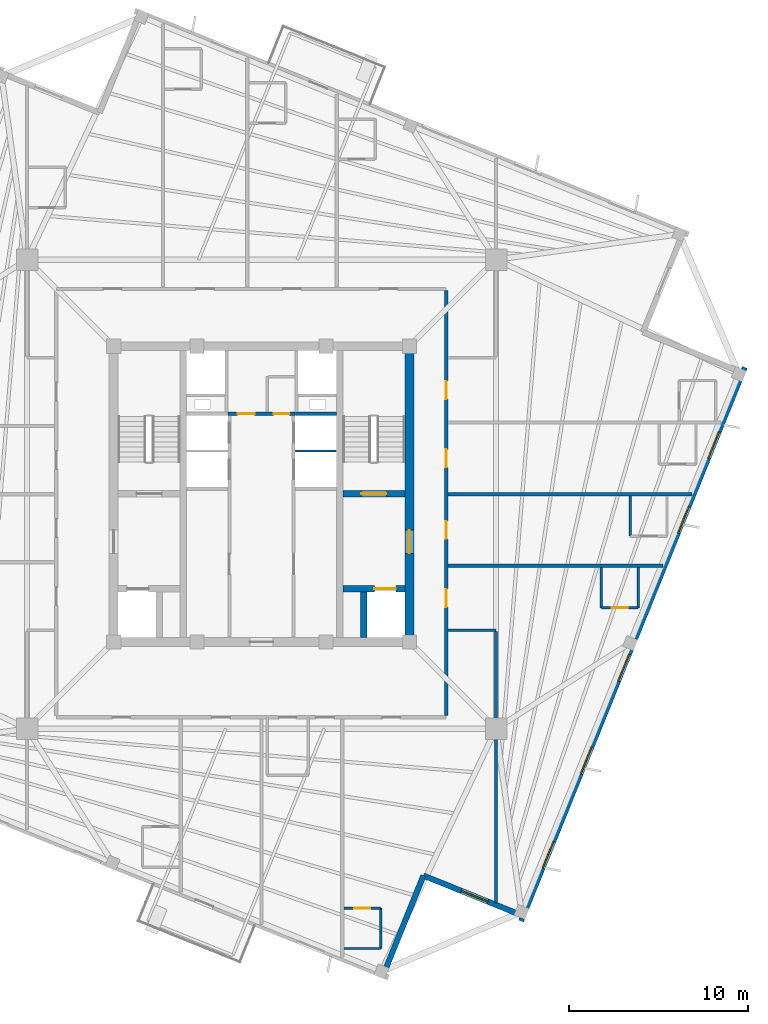
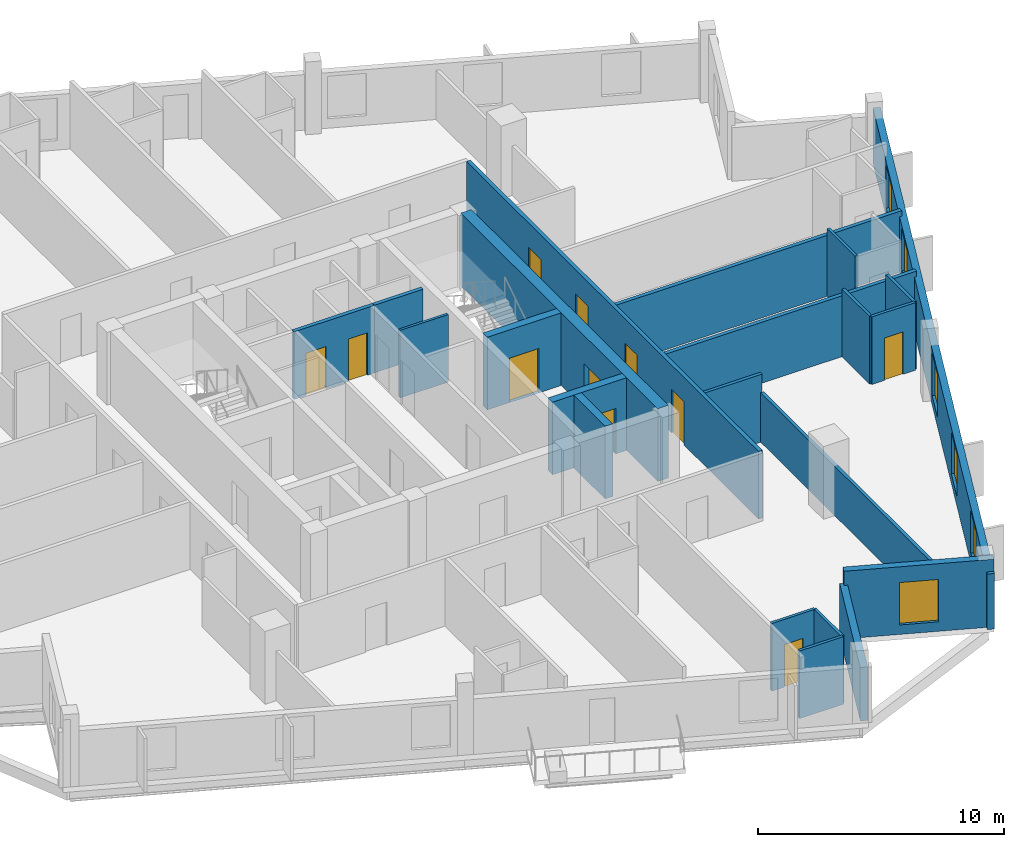
# One storey, part 4 of 9: 22 walls, 11 doors, 6 windows, 17 openings.
"""IFC4 building model written with IfcOpenShell, lengths in metres."""

from ifc_helpers import new_model, si_unit, direction, frame, frame_2d, origin, place, context, subcontext, project, spatial, rectangle, extrude, source, transform, mapped, material, layer, layer_set, type_object, element, fill, save


model = new_model("IFC4")

# Units and contexts
model_context = context("Model", 3, precision=1e-05, world=origin(), true_north=direction((0.0, 1.0)))
body_context = subcontext(model_context, "Body", "Model", "MODEL_VIEW")
ifc_project = project(units=[si_unit("LENGTHUNIT", "METRE"), si_unit("AREAUNIT", "SQUARE_METRE"), si_unit("VOLUMEUNIT", "CUBIC_METRE"), si_unit("PLANEANGLEUNIT", "RADIAN"), si_unit("MASSUNIT", "GRAM", prefix="KILO"), si_unit("THERMODYNAMICTEMPERATUREUNIT", "KELVIN")], contexts=[model_context])

# Site, building, storey
site_placement = place(None, origin())
site = spatial("IfcSite", under=ifc_project, at=site_placement, CompositionType="ELEMENT")
building_placement = place(site_placement, origin())
building = spatial("IfcBuilding", under=site, at=building_placement, Name="Kosmvard Interchange Tower", CompositionType="ELEMENT")
storey_placement = place(building_placement, frame((0.0, 0.0, 276.0)))
storey = spatial("IfcBuildingStorey", under=building, at=storey_placement, Name="L67", CompositionType="ELEMENT", Elevation=276.0)

# Walls
ifc_material_1 = material(Name="Acoustic gypsum partition system")
ifc_layer_1 = layer(ifc_material_1, 0.14990234375, Name="Acoustic gypsum partition system")
ifc_layer_set_1 = layer_set([ifc_layer_1], Name="Acoustic gypsum partition system")
wall_type_1 = type_object("IfcWallType", Name="Acoustic Suite & Meeting Partition 150", PredefinedType="PARTITIONING", material=ifc_layer_set_1)
wall_1_placement = place(storey_placement, frame((10.39501953125, -7.60009765625, 0.0), z_axis=(0.0, 0.0, 1.0), x_axis=(1.0, 0.0, 0.0)))
element("IfcWall", 1, at=wall_1_placement, inside=storey, type_object=wall_type_1, Name="L67 Room Partition 17.1", PredefinedType="PARTITIONING", context=body_context, shape_type="SweptSolid", body=[
    extrude(rectangle(XDim=2.68603515625, YDim=0.14990234375, at=frame_2d((1.343017578125, 0.0))), origin(), (0.0, 0.0, 1.0), 3.35009765625),
])
wall_2_placement = place(storey_placement, frame((13.0810546875, -7.675048828125, 0.0), z_axis=(0.0, 0.0, 1.0), x_axis=(0.0, -1.0, 0.0)))
element("IfcWall", 2, at=wall_2_placement, inside=storey, type_object=wall_type_1, Name="L67 Room Partition 18.1", PredefinedType="PARTITIONING", context=body_context, shape_type="SweptSolid", body=[
    extrude(rectangle(XDim=15.1416015625, YDim=0.14990234375, at=frame_2d((7.57080078125, 0.0))), origin(), (0.0, 0.0, 1.0), 2.449951171875),
])

# Wall, openings, doors
ifc_material_2 = material(Name="Fire-rated gypsum partition system")
ifc_layer_2 = layer(ifc_material_2, 0.179931640625, Name="Fire-rated gypsum partition system")
ifc_layer_set_2 = layer_set([ifc_layer_2], Name="Fire-rated gypsum partition system")
wall_type_2 = type_object("IfcWallType", Name="Corridor & Hotel Compartment Partition 180", PredefinedType="PARTITIONING", material=ifc_layer_set_2)
wall_3_placement = place(storey_placement, frame((-1.8798828125, 4.489990234375, 0.0), z_axis=(0.0, 0.0, 1.0), x_axis=(1.0, 0.0, 0.0)))
wall_3 = element("IfcWall", 3, at=wall_3_placement, inside=storey, type_object=wall_type_2, Name="L67 Lift Lobby North Partition", PredefinedType="PARTITIONING", context=body_context, shape_type="SweptSolid", body=[
    extrude(rectangle(XDim=3.759765625, YDim=0.179931640625, at=frame_2d((1.8798828125, 0.0))), origin(), (0.0, 0.0, 1.0), 3.35009765625),
])
opening_1_placement = place(wall_3_placement, frame((0.550048828125, 0.0, 0.0)))
opening_1 = element("IfcOpeningElement", 4, at=opening_1_placement, cuts=wall_3, Name="Opening L67-KD1", PredefinedType="OPENING", context=body_context, shape_type="SweptSolid", body=[
    extrude(rectangle(XDim=0.949951171875, YDim=2.10009765625, at=frame_2d((0.47509765625, 1.050048828125))), frame((0.0, 0.10009765625, 0.0), z_axis=(0.0, -1.0, 0.0), x_axis=(1.0, 0.0, 0.0)), (0.0, 0.0, 1.0), 0.199951171875),
])
opening_2_placement = place(wall_3_placement, frame((2.56005859375, 0.0, 0.0)))
opening_2 = element("IfcOpeningElement", 5, at=opening_2_placement, cuts=wall_3, Name="Opening L67-KD2", PredefinedType="OPENING", context=body_context, shape_type="SweptSolid", body=[
    extrude(rectangle(XDim=0.8798828125, YDim=2.10009765625, at=frame_2d((0.43994140625, 1.050048828125))), frame((0.0, 0.10009765625, 0.0), z_axis=(0.0, -1.0, 0.0), x_axis=(1.0, 0.0, 0.0)), (0.0, 0.0, 1.0), 0.199951171875),
])
ifc_material_3 = material(Name="Painted fire-rated timber leaf", Category="wood")
door_type_1 = type_object("IfcDoorType", Name="Core Service Fire Door 950x2100 EI30", OperationType="NOTDEFINED", PredefinedType="DOOR", material=ifc_material_3)
shared_shape_1 = source(origin(), body_context, "Body", "SweptSolid", [
    extrude(rectangle(XDim=0.949951171875, YDim=2.10009765625, at=frame_2d((0.47509765625, 1.050048828125))), frame((0.0, 0.02490234375, 0.0), z_axis=(0.0, -1.0, 0.0), x_axis=(1.0, 0.0, 0.0)), (0.0, 0.0, 1.0), 0.050048828125),
])
door_1_placement = place(opening_1_placement, origin())
door_1 = element("IfcDoor", 6, at=door_1_placement, inside=storey, type_object=door_type_1, Name="L67 Core Archive Store Door", OperationType="SINGLE_SWING_LEFT", OverallHeight=2.10009765625, OverallWidth=0.949951171875, PredefinedType="DOOR", context=body_context, shape_type="MappedRepresentation", body=[
    mapped(shared_shape_1, transform((0.0, 0.0, 0.0), scale=1.0)),
])
fill(opening_1, door_1)
door_type_2 = type_object("IfcDoorType", Name="Core Cupboard Fire Door 880x2100 EI30", OperationType="NOTDEFINED", PredefinedType="DOOR", material=ifc_material_3)
shared_shape_2 = source(origin(), body_context, "Body", "SweptSolid", [
    extrude(rectangle(XDim=0.8798828125, YDim=2.10009765625, at=frame_2d((0.43994140625, 1.050048828125))), frame((0.0, 0.02490234375, 0.0), z_axis=(0.0, -1.0, 0.0), x_axis=(1.0, 0.0, 0.0)), (0.0, 0.0, 1.0), 0.050048828125),
])
door_2_placement = place(opening_2_placement, origin())
door_2 = element("IfcDoor", 7, at=door_2_placement, inside=storey, type_object=door_type_2, Name="L67 Core Supplies Cupboard Door", OperationType="SINGLE_SWING_RIGHT", OverallHeight=2.10009765625, OverallWidth=0.8798828125, PredefinedType="DOOR", context=body_context, shape_type="MappedRepresentation", body=[
    mapped(shared_shape_2, transform((0.0, 0.0, 0.0), scale=1.0)),
])
fill(opening_2, door_2)

wall_4_placement = place(storey_placement, frame((10.300048828125, -12.35009765625, 0.0), z_axis=(0.0, 0.0, 1.0), x_axis=(0.0, 1.0, 0.0)))
wall_4 = element("IfcWall", 8, at=wall_4_placement, inside=storey, type_object=wall_type_2, Name="L67 Corridor Wall CE", PredefinedType="PARTITIONING", context=body_context, shape_type="SweptSolid", body=[
    extrude(rectangle(XDim=23.7001953125, YDim=0.179931640625, at=frame_2d((11.85009765625, 0.0))), origin(), (0.0, 0.0, 1.0), 3.35009765625),
])
opening_3_placement = place(wall_4_placement, frame((17.64990234375, 0.0, 0.0)))
opening_3 = element("IfcOpeningElement", 9, at=opening_3_placement, cuts=wall_4, Name="Opening L67-D14", PredefinedType="OPENING", context=body_context, shape_type="SweptSolid", body=[
    extrude(rectangle(XDim=1.0, YDim=2.14990234375, at=frame_2d((0.5, 1.074951171875))), frame((0.0, 0.10009765625, 0.0), z_axis=(0.0, -1.0, 0.0), x_axis=(1.0, 0.0, 0.0)), (0.0, 0.0, 1.0), 0.199951171875),
])
opening_4_placement = place(wall_4_placement, frame((13.85009765625, 0.0, 0.0)))
opening_4 = element("IfcOpeningElement", 10, at=opening_4_placement, cuts=wall_4, Name="Opening L67-D16", PredefinedType="OPENING", context=body_context, shape_type="SweptSolid", body=[
    extrude(rectangle(XDim=1.0, YDim=2.14990234375, at=frame_2d((0.5, 1.074951171875))), frame((0.0, 0.10009765625, 0.0), z_axis=(0.0, -1.0, 0.0), x_axis=(1.0, 0.0, 0.0)), (0.0, 0.0, 1.0), 0.199951171875),
])
opening_5_placement = place(wall_4_placement, frame((9.85009765625, 0.0, 0.0)))
opening_5 = element("IfcOpeningElement", 11, at=opening_5_placement, cuts=wall_4, Name="Opening L67-D18", PredefinedType="OPENING", context=body_context, shape_type="SweptSolid", body=[
    extrude(rectangle(XDim=1.0, YDim=2.14990234375, at=frame_2d((0.5, 1.074951171875))), frame((0.0, 0.10009765625, 0.0), z_axis=(0.0, -1.0, 0.0), x_axis=(1.0, 0.0, 0.0)), (0.0, 0.0, 1.0), 0.199951171875),
])
opening_6_placement = place(wall_4_placement, frame((6.050048828125, 0.0, 0.0)))
opening_6 = element("IfcOpeningElement", 12, at=opening_6_placement, cuts=wall_4, Name="Opening L67-D20", PredefinedType="OPENING", context=body_context, shape_type="SweptSolid", body=[
    extrude(rectangle(XDim=1.0, YDim=2.14990234375, at=frame_2d((0.5, 1.074951171875))), frame((0.0, 0.10009765625, 0.0), z_axis=(0.0, -1.0, 0.0), x_axis=(1.0, 0.0, 0.0)), (0.0, 0.0, 1.0), 0.199951171875),
])
ifc_material_4 = material(Name="Engineered oak fire-rated timber", Category="wood")
door_type_3 = type_object("IfcDoorType", Name="Hotel Guestroom Entrance Door 1000x2150 EI60", OperationType="NOTDEFINED", PredefinedType="DOOR", material=ifc_material_4)
shared_shape_3 = source(origin(), body_context, "Body", "SweptSolid", [
    extrude(rectangle(XDim=1.0, YDim=2.14990234375, at=frame_2d((0.5, 1.074951171875))), frame((0.0, 0.02490234375, 0.0), z_axis=(0.0, -1.0, 0.0), x_axis=(1.0, 0.0, 0.0)), (0.0, 0.0, 1.0), 0.050048828125),
])
door_3_placement = place(opening_3_placement, frame((1.0, 0.0, 0.0), z_axis=(0.0, 0.0, 1.0), x_axis=(-1.0, 0.0, 0.0)))
door_3 = element("IfcDoor", 13, at=door_3_placement, inside=storey, type_object=door_type_3, Name="L67 Hotel Corner Suite 2 Door", OperationType="SINGLE_SWING_RIGHT", OverallHeight=2.14990234375, OverallWidth=1.0, PredefinedType="DOOR", context=body_context, shape_type="MappedRepresentation", body=[
    mapped(shared_shape_3, transform((0.0, 0.0, 0.0), scale=1.0)),
])
fill(opening_3, door_3)
door_4_placement = place(opening_4_placement, frame((1.0, 0.0, 0.0), z_axis=(0.0, 0.0, 1.0), x_axis=(-1.0, 0.0, 0.0)))
door_4 = element("IfcDoor", 14, at=door_4_placement, inside=storey, type_object=door_type_3, Name="L67 Hotel Standard Guest Room 6 Door", OperationType="SINGLE_SWING_RIGHT", OverallHeight=2.14990234375, OverallWidth=1.0, PredefinedType="DOOR", context=body_context, shape_type="MappedRepresentation", body=[
    mapped(shared_shape_3, transform((0.0, 0.0, 0.0), scale=1.0)),
])
fill(opening_4, door_4)
door_5_placement = place(opening_5_placement, frame((1.0, 0.0, 0.0), z_axis=(0.0, 0.0, 1.0), x_axis=(-1.0, 0.0, 0.0)))
door_5 = element("IfcDoor", 15, at=door_5_placement, inside=storey, type_object=door_type_3, Name="L67 Hotel Standard Guest Room 7 Door", OperationType="SINGLE_SWING_RIGHT", OverallHeight=2.14990234375, OverallWidth=1.0, PredefinedType="DOOR", context=body_context, shape_type="MappedRepresentation", body=[
    mapped(shared_shape_3, transform((0.0, 0.0, 0.0), scale=1.0)),
])
fill(opening_5, door_5)
door_6_placement = place(opening_6_placement, frame((1.0, 0.0, 0.0), z_axis=(0.0, 0.0, 1.0), x_axis=(-1.0, 0.0, 0.0)))
door_6 = element("IfcDoor", 16, at=door_6_placement, inside=storey, type_object=door_type_3, Name="L67 Hotel Standard Junior Suite 8 Door", OperationType="SINGLE_SWING_RIGHT", OverallHeight=2.14990234375, OverallWidth=1.0, PredefinedType="DOOR", context=body_context, shape_type="MappedRepresentation", body=[
    mapped(shared_shape_3, transform((0.0, 0.0, 0.0), scale=1.0)),
])
fill(opening_6, door_6)

# Walls
wall_5_placement = place(storey_placement, frame((10.39501953125, 0.0, 0.0), z_axis=(0.0, 0.0, 1.0), x_axis=(1.0, 0.0, 0.0)))
element("IfcWall", 17, at=wall_5_placement, inside=storey, type_object=wall_type_2, Name="L67 Room Partition 05.1", PredefinedType="PARTITIONING", context=body_context, shape_type="SweptSolid", body=[
    extrude(rectangle(XDim=13.607666015625, YDim=0.179931640625, at=frame_2d((6.8037109375, 0.0))), origin(), (0.0, 0.0, 1.0), 3.02001953125),
])
wall_6_placement = place(storey_placement, frame((10.39501953125, -4.0, 0.0), z_axis=(0.0, 0.0, 1.0), x_axis=(1.0, 0.0, 0.0)))
element("IfcWall", 18, at=wall_6_placement, inside=storey, type_object=wall_type_2, Name="L67 Room Partition 06.1", PredefinedType="PARTITIONING", context=body_context, shape_type="SweptSolid", body=[
    extrude(rectangle(XDim=11.99169921875, YDim=0.179931640625, at=frame_2d((5.995849609375, 0.0))), origin(), (0.0, 0.0, 1.0), 3.02001953125),
])
ifc_material_5 = material(Name="Concrete blockwork masonry", Category="masonry")
ifc_layer_3 = layer(ifc_material_5, 0.179931640625, Name="Concrete blockwork masonry")
ifc_layer_set_3 = layer_set([ifc_layer_3], Name="Concrete blockwork masonry")
wall_type_3 = type_object("IfcWallType", Name="Riser & Lift Bank Divider Wall 180", PredefinedType="PARTITIONING", material=ifc_layer_set_3)
wall_7_placement = place(storey_placement, frame((1.889892578125, 4.489990234375, 0.0), z_axis=(0.0, 0.0, 1.0), x_axis=(1.0, 0.0, 0.0)))
element("IfcWall", 19, at=wall_7_placement, inside=storey, type_object=wall_type_3, Name="L67 East Bank Divider BD3", PredefinedType="PARTITIONING", context=body_context, shape_type="SweptSolid", body=[
    extrude(rectangle(XDim=2.280029296875, YDim=0.179931640625, at=frame_2d((1.14013671875, 0.0))), origin(), (0.0, 0.0, 1.0), 3.35009765625),
])
ifc_material_6 = material(Name="Fire-rated gypsum shaftwall system")
ifc_layer_4 = layer(ifc_material_6, 0.1201171875, Name="Fire-rated gypsum shaftwall system")
ifc_layer_set_4 = layer_set([ifc_layer_4], Name="Fire-rated gypsum shaftwall system")
wall_type_4 = type_object("IfcWallType", Name="Shaft & Riser Fire Partition 120 EI60", PredefinedType="PARTITIONING", material=ifc_layer_set_4)
wall_8_placement = place(storey_placement, frame((1.89990234375, 2.39990234375, 0.0), z_axis=(0.0, 0.0, 1.0), x_axis=(1.0, 0.0, 0.0)))
element("IfcWall", 20, at=wall_8_placement, inside=storey, type_object=wall_type_4, Name="L67 Shaft Divider PL-H3", PredefinedType="PARTITIONING", context=body_context, shape_type="SweptSolid", body=[
    extrude(rectangle(XDim=2.260009765625, YDim=0.1201171875, at=frame_2d((1.1298828125, 0.0))), origin(), (0.0, 0.0, 1.0), 3.35009765625),
])

# Wall, opening, door
ifc_material_7 = material(Name="Concrete C60/75", Category="concrete")
ifc_layer_5 = layer(ifc_material_7, 0.360107421875, Name="Concrete C60/75")
ifc_layer_set_5 = layer_set([ifc_layer_5], Name="Concrete C60/75")
wall_type_5 = type_object("IfcWallType", Name="Stair & Lift Shaft Shear Wall 360 C60/75", PredefinedType="SHEAR", material=ifc_layer_set_5)
wall_9_placement = place(storey_placement, frame((4.5400390625, 0.02001953125, 0.0), z_axis=(0.0, 0.0, 1.0), x_axis=(1.0, 0.0, 0.0)))
wall_9 = element("IfcWall", 21, at=wall_9_placement, inside=storey, type_object=wall_type_5, Name="L67 Shaft Shear Wall SW-ST2", PredefinedType="SHEAR", context=body_context, shape_type="SweptSolid", body=[
    extrude(rectangle(XDim=3.4599609375, YDim=0.360107421875, at=frame_2d((1.72998046875, 0.0))), origin(), (0.0, 0.0, 1.0), 3.60009765625),
])
opening_7_placement = place(wall_9_placement, frame((1.030029296875, 0.0, 0.0)))
opening_7 = element("IfcOpeningElement", 22, at=opening_7_placement, cuts=wall_9, Name="Opening L67-SD2", PredefinedType="OPENING", context=body_context, shape_type="SweptSolid", body=[
    extrude(rectangle(XDim=1.39990234375, YDim=2.199951171875, at=frame_2d((0.699951171875, 1.10009765625))), frame((0.0, 0.18994140625, 0.0), z_axis=(0.0, -1.0, 0.0), x_axis=(1.0, 0.0, 0.0)), (0.0, 0.0, 1.0), 0.380126953125),
])
ifc_material_8 = material(Name="Painted fire-rated steel leaf", Category="steel")
door_type_4 = type_object("IfcDoorType", Name="Protected Stair Door 1400x2200 FD60S", OperationType="NOTDEFINED", PredefinedType="DOOR", material=ifc_material_8)
shared_shape_4 = source(origin(), body_context, "Body", "SweptSolid", [
    extrude(rectangle(XDim=1.39990234375, YDim=2.199951171875, at=frame_2d((0.699951171875, 1.10009765625))), frame((0.0, 0.02490234375, 0.0), z_axis=(0.0, -1.0, 0.0), x_axis=(1.0, 0.0, 0.0)), (0.0, 0.0, 1.0), 0.050048828125),
])
door_7_placement = place(opening_7_placement, origin())
door_7 = element("IfcDoor", 23, at=door_7_placement, inside=storey, type_object=door_type_4, Name="L67 Stair ST-2 Enclosure Door", OperationType="SINGLE_SWING_RIGHT", OverallHeight=2.199951171875, OverallWidth=1.39990234375, PredefinedType="DOOR", context=body_context, shape_type="MappedRepresentation", body=[
    mapped(shared_shape_4, transform((0.0, 0.0, 0.0), scale=1.0)),
])
fill(opening_7, door_7)

wall_10_placement = place(storey_placement, frame((4.5400390625, -5.280029296875, 0.0), z_axis=(0.0, 0.0, 1.0), x_axis=(1.0, 0.0, 0.0)))
wall_10 = element("IfcWall", 24, at=wall_10_placement, inside=storey, type_object=wall_type_5, Name="L67 Shaft Shear Wall SW-FF2", PredefinedType="SHEAR", context=body_context, shape_type="SweptSolid", body=[
    extrude(rectangle(XDim=3.4599609375, YDim=0.360107421875, at=frame_2d((1.72998046875, 0.0))), origin(), (0.0, 0.0, 1.0), 3.60009765625),
])
opening_8_placement = place(wall_10_placement, frame((1.760009765625, 0.0, 0.0)))
opening_8 = element("IfcOpeningElement", 25, at=opening_8_placement, cuts=wall_10, Name="Opening LD-FF-2-L67", PredefinedType="OPENING", context=body_context, shape_type="SweptSolid", body=[
    extrude(rectangle(XDim=1.199951171875, YDim=2.25, at=frame_2d((0.60009765625, 1.125))), frame((0.0, 0.18994140625, 0.0), z_axis=(0.0, -1.0, 0.0), x_axis=(1.0, 0.0, 0.0)), (0.0, 0.0, 1.0), 0.380126953125),
])
ifc_material_9 = material(Name="Brushed stainless steel sliding leaf", Category="steel")
door_type_5 = type_object("IfcDoorType", Name="Firefighting Lift Sliding Landing Door 1200x2250 EI120", OperationType="DOUBLE_DOOR_SLIDING", PredefinedType="DOOR", material=ifc_material_9)
shared_shape_5 = source(origin(), body_context, "Body", "SweptSolid", [
    extrude(rectangle(XDim=1.199951171875, YDim=2.25, at=frame_2d((0.60009765625, 1.125))), frame((0.0, 0.02490234375, 0.0), z_axis=(0.0, -1.0, 0.0), x_axis=(1.0, 0.0, 0.0)), (0.0, 0.0, 1.0), 0.050048828125),
])
door_8_placement = place(opening_8_placement, origin())
door_8 = element("IfcDoor", 26, at=door_8_placement, inside=storey, type_object=door_type_5, Name="Lift FF-2 Landing Door L67", OperationType="DOUBLE_DOOR_SLIDING", OverallHeight=2.25, OverallWidth=1.199951171875, PredefinedType="DOOR", context=body_context, shape_type="MappedRepresentation", body=[
    mapped(shared_shape_5, transform((0.0, 0.0, 0.0), scale=1.0)),
])
fill(opening_8, door_8)

# Wall
wall_11_placement = place(storey_placement, frame((5.7099609375, -8.0, 0.0), z_axis=(0.0, 0.0, 1.0), x_axis=(0.0, 1.0, 0.0)))
element("IfcWall", 27, at=wall_11_placement, inside=storey, type_object=wall_type_5, Name="L67 Shaft Shear Wall SW-SM2", PredefinedType="SHEAR", context=body_context, shape_type="SweptSolid", body=[
    extrude(rectangle(XDim=2.5400390625, YDim=0.360107421875, at=frame_2d((1.27001953125, 0.0))), origin(), (0.0, 0.0, 1.0), 3.60009765625),
])

# Wall, opening, door
ifc_layer_6 = layer(ifc_material_7, 0.5, Name="Concrete C60/75")
ifc_layer_set_6 = layer_set([ifc_layer_6], Name="Concrete C60/75")
wall_type_6 = type_object("IfcWallType", Name="Upper Core Shear Wall 500 C60/75", PredefinedType="SHEAR", material=ifc_layer_set_6)
wall_12_placement = place(storey_placement, frame((8.25, -8.0, 0.0), z_axis=(0.0, 0.0, 1.0), x_axis=(0.0, 1.0, 0.0)))
wall_12 = element("IfcWall", 28, at=wall_12_placement, inside=storey, type_object=wall_type_6, Name="L67 Core Shear Wall CW-E", PredefinedType="SHEAR", context=body_context, shape_type="SweptSolid", body=[
    extrude(rectangle(XDim=16.0, YDim=0.5, at=frame_2d((8.0, 0.0))), origin(), (0.0, 0.0, 1.0), 3.60009765625),
])
opening_9_placement = place(wall_12_placement, frame((4.68994140625, 0.0, 0.0)))
opening_9 = element("IfcOpeningElement", 29, at=opening_9_placement, cuts=wall_12, Name="Opening L67-FD2", PredefinedType="OPENING", context=body_context, shape_type="SweptSolid", body=[
    extrude(rectangle(XDim=1.300048828125, YDim=2.199951171875, at=frame_2d((0.64990234375, 1.10009765625))), frame((0.0, 0.260009765625, 0.0), z_axis=(0.0, -1.0, 0.0), x_axis=(1.0, 0.0, 0.0)), (0.0, 0.0, 1.0), 0.52001953125),
])
door_type_6 = type_object("IfcDoorType", Name="Firefighting Lobby Door 1300x2200 EI60", OperationType="NOTDEFINED", PredefinedType="DOOR", material=ifc_material_8)
shared_shape_6 = source(origin(), body_context, "Body", "SweptSolid", [
    extrude(rectangle(XDim=1.300048828125, YDim=2.199951171875, at=frame_2d((0.64990234375, 1.10009765625))), frame((0.0, 0.02490234375, 0.0), z_axis=(0.0, -1.0, 0.0), x_axis=(1.0, 0.0, 0.0)), (0.0, 0.0, 1.0), 0.050048828125),
])
door_9_placement = place(opening_9_placement, origin())
door_9 = element("IfcDoor", 30, at=door_9_placement, inside=storey, type_object=door_type_6, Name="L67 Firefighting Lobby East Door", OperationType="SINGLE_SWING_RIGHT", OverallHeight=2.199951171875, OverallWidth=1.300048828125, PredefinedType="DOOR", context=body_context, shape_type="MappedRepresentation", body=[
    mapped(shared_shape_6, transform((0.0, 0.0, 0.0), scale=1.0)),
])
fill(opening_9, door_9)

# Wall, openings, windows
ifc_material_10 = material(Name="Precast concrete C45/55", Category="concrete")
ifc_layer_7 = layer(ifc_material_10, 0.31005859375, Name="Precast concrete C45/55")
ifc_layer_set_7 = layer_set([ifc_layer_7], Name="Precast concrete C45/55")
wall_type_7 = type_object("IfcWallType", Name="Upper Tower Precast Pier Wall 310 C45/55", PredefinedType="STANDARD", material=ifc_layer_set_7)
wall_13_placement = place(storey_placement, frame((14.478759765625, -23.812744140625, 0.0), z_axis=(0.0, 0.0, 1.0), x_axis=(0.374609557019, 0.927182657188, 0.0)))
wall_13 = element("IfcWall", 31, at=wall_13_placement, inside=storey, type_object=wall_type_7, Name="L67 Precast Facade Wall F-S", PredefinedType="STANDARD", context=body_context, shape_type="SweptSolid", body=[
    extrude(rectangle(XDim=33.31005859375, YDim=0.31005859375, at=frame_2d((16.655029296875, 0.0))), origin(), (0.0, 0.0, 1.0), 2.75),
])
opening_10_placement = place(wall_13_placement, frame((3.197265625, 0.0, 0.469970703125)))
opening_10 = element("IfcOpeningElement", 32, at=opening_10_placement, cuts=wall_13, Name="Opening L67-W01", PredefinedType="OPENING", context=body_context, shape_type="SweptSolid", body=[
    extrude(rectangle(XDim=1.60009765625, YDim=2.10009765625, at=frame_2d((0.800048828125, 1.050048828125))), frame((0.0, 0.1650390625, 0.0), z_axis=(0.0, -1.0, 0.0), x_axis=(1.0, 0.0, 0.0)), (0.0, 0.0, 1.0), 0.330078125),
])
opening_11_placement = place(wall_13_placement, frame((8.85986328125, 0.0, 0.469970703125)))
opening_11 = element("IfcOpeningElement", 33, at=opening_11_placement, cuts=wall_13, Name="Opening L67-W02", PredefinedType="OPENING", context=body_context, shape_type="SweptSolid", body=[
    extrude(rectangle(XDim=1.60009765625, YDim=2.10009765625, at=frame_2d((0.800048828125, 1.050048828125))), frame((0.0, 0.1650390625, 0.0), z_axis=(0.0, -1.0, 0.0), x_axis=(1.0, 0.0, 0.0)), (0.0, 0.0, 1.0), 0.330078125),
])
opening_12_placement = place(wall_13_placement, frame((14.438720703125, 0.0, 0.469970703125)))
opening_12 = element("IfcOpeningElement", 34, at=opening_12_placement, cuts=wall_13, Name="Opening L67-W03", PredefinedType="OPENING", context=body_context, shape_type="SweptSolid", body=[
    extrude(rectangle(XDim=1.60009765625, YDim=2.10009765625, at=frame_2d((0.800048828125, 1.050048828125))), frame((0.0, 0.1650390625, 0.0), z_axis=(0.0, -1.0, 0.0), x_axis=(1.0, 0.0, 0.0)), (0.0, 0.0, 1.0), 0.330078125),
])
opening_13_placement = place(wall_13_placement, frame((23.350830078125, 0.0, 0.469970703125)))
opening_13 = element("IfcOpeningElement", 35, at=opening_13_placement, cuts=wall_13, Name="Opening L67-W04", PredefinedType="OPENING", context=body_context, shape_type="SweptSolid", body=[
    extrude(rectangle(XDim=1.60009765625, YDim=2.10009765625, at=frame_2d((0.800048828125, 1.050048828125))), frame((0.0, 0.1650390625, 0.0), z_axis=(0.0, -1.0, 0.0), x_axis=(1.0, 0.0, 0.0)), (0.0, 0.0, 1.0), 0.330078125),
])
opening_14_placement = place(wall_13_placement, frame((27.8466796875, 0.0, 0.469970703125)))
opening_14 = element("IfcOpeningElement", 36, at=opening_14_placement, cuts=wall_13, Name="Opening L67-W05", PredefinedType="OPENING", context=body_context, shape_type="SweptSolid", body=[
    extrude(rectangle(XDim=1.60009765625, YDim=2.10009765625, at=frame_2d((0.800048828125, 1.050048828125))), frame((0.0, 0.1650390625, 0.0), z_axis=(0.0, -1.0, 0.0), x_axis=(1.0, 0.0, 0.0)), (0.0, 0.0, 1.0), 0.330078125),
])
ifc_material_11 = material(Name="Low-E acoustic double glazing", Category="glass")
window_type = type_object("IfcWindowType", Name="Zone 5 Hotel Punched Window 1600x2100", PartitioningType="SINGLE_PANEL", PredefinedType="WINDOW", material=ifc_material_11)
shared_shape_7 = source(origin(), body_context, "Body", "SweptSolid", [
    extrude(rectangle(XDim=1.60009765625, YDim=2.10009765625, at=frame_2d((0.800048828125, 1.050048828125))), frame((0.0, 0.030029296875, 0.0), z_axis=(0.0, -1.0, 0.0), x_axis=(1.0, 0.0, 0.0)), (0.0, 0.0, 1.0), 0.06005859375),
])
window_1_placement = place(opening_10_placement, origin())
window_1 = element("IfcWindow", 37, at=window_1_placement, inside=storey, type_object=window_type, Name="L67 Facade Punched Window 01", OverallHeight=2.10009765625, OverallWidth=1.60009765625, PartitioningType="SINGLE_PANEL", PredefinedType="WINDOW", context=body_context, shape_type="MappedRepresentation", body=[
    mapped(shared_shape_7, transform((0.0, 0.0, 0.0), scale=1.0)),
])
fill(opening_10, window_1)
window_2_placement = place(opening_11_placement, origin())
window_2 = element("IfcWindow", 38, at=window_2_placement, inside=storey, type_object=window_type, Name="L67 Facade Punched Window 02", OverallHeight=2.10009765625, OverallWidth=1.60009765625, PartitioningType="SINGLE_PANEL", PredefinedType="WINDOW", context=body_context, shape_type="MappedRepresentation", body=[
    mapped(shared_shape_7, transform((0.0, 0.0, 0.0), scale=1.0)),
])
fill(opening_11, window_2)
window_3_placement = place(opening_12_placement, origin())
window_3 = element("IfcWindow", 39, at=window_3_placement, inside=storey, type_object=window_type, Name="L67 Facade Punched Window 03", OverallHeight=2.10009765625, OverallWidth=1.60009765625, PartitioningType="SINGLE_PANEL", PredefinedType="WINDOW", context=body_context, shape_type="MappedRepresentation", body=[
    mapped(shared_shape_7, transform((0.0, 0.0, 0.0), scale=1.0)),
])
fill(opening_12, window_3)
window_4_placement = place(opening_13_placement, origin())
window_4 = element("IfcWindow", 40, at=window_4_placement, inside=storey, type_object=window_type, Name="L67 Facade Punched Window 04", OverallHeight=2.10009765625, OverallWidth=1.60009765625, PartitioningType="SINGLE_PANEL", PredefinedType="WINDOW", context=body_context, shape_type="MappedRepresentation", body=[
    mapped(shared_shape_7, transform((0.0, 0.0, 0.0), scale=1.0)),
])
fill(opening_13, window_4)
window_5_placement = place(opening_14_placement, origin())
window_5 = element("IfcWindow", 41, at=window_5_placement, inside=storey, type_object=window_type, Name="L67 Facade Punched Window 05", OverallHeight=2.10009765625, OverallWidth=1.60009765625, PartitioningType="SINGLE_PANEL", PredefinedType="WINDOW", context=body_context, shape_type="MappedRepresentation", body=[
    mapped(shared_shape_7, transform((0.0, 0.0, 0.0), scale=1.0)),
])
fill(opening_14, window_5)

# Wall
wall_14_placement = place(storey_placement, frame((6.7841796875, -26.8408203125, 0.0), z_axis=(0.0, 0.0, 1.0), x_axis=(0.374636620962, 0.927171722085, 0.0)))
element("IfcWall", 42, at=wall_14_placement, inside=storey, type_object=wall_type_7, Name="L67 Precast Facade Wall N-SW1", PredefinedType="STANDARD", context=body_context, shape_type="SweptSolid", body=[
    extrude(rectangle(XDim=6.0, YDim=0.31005859375, at=frame_2d((3.0, 0.0))), origin(), (0.0, 0.0, 1.0), 2.64990234375),
])

# Wall, opening, window
wall_15_placement = place(storey_placement, frame((9.031982421875, -21.27783203125, 0.0), z_axis=(0.0, 0.0, 1.0), x_axis=(0.927185411764, -0.374602739196, 0.0)))
wall_15 = element("IfcWall", 43, at=wall_15_placement, inside=storey, type_object=wall_type_7, Name="L67 Precast Facade Wall N-SW2", PredefinedType="STANDARD", context=body_context, shape_type="SweptSolid", body=[
    extrude(rectangle(XDim=6.155029296875, YDim=0.31005859375, at=frame_2d((3.07763671875, 0.0))), origin(), (0.0, 0.0, 1.0), 3.35009765625),
])
opening_15_placement = place(wall_15_placement, frame((2.277587890625, 0.0, 0.469970703125)))
opening_15 = element("IfcOpeningElement", 44, at=opening_15_placement, cuts=wall_15, Name="Opening L67-W22", PredefinedType="OPENING", context=body_context, shape_type="SweptSolid", body=[
    extrude(rectangle(XDim=1.60009765625, YDim=2.10009765625, at=frame_2d((0.800048828125, 1.050048828125))), frame((0.0, 0.1650390625, 0.0), z_axis=(0.0, -1.0, 0.0), x_axis=(1.0, 0.0, 0.0)), (0.0, 0.0, 1.0), 0.330078125),
])
window_6_placement = place(opening_15_placement, origin())
window_6 = element("IfcWindow", 45, at=window_6_placement, inside=storey, type_object=window_type, Name="L67 Corner Notch Window 22", OverallHeight=2.10009765625, OverallWidth=1.60009765625, PartitioningType="SINGLE_PANEL", PredefinedType="WINDOW", context=body_context, shape_type="MappedRepresentation", body=[
    mapped(shared_shape_7, transform((0.0, 0.0, 0.0), scale=1.0)),
])
fill(opening_15, window_6)

# Wall
ifc_material_12 = material(Name="Moisture-resistant gypsum partition")
ifc_layer_8 = layer(ifc_material_12, 0.135009765625, Name="Moisture-resistant gypsum partition")
ifc_layer_set_8 = layer_set([ifc_layer_8], Name="Moisture-resistant gypsum partition")
wall_type_8 = type_object("IfcWallType", Name="Wet Room Moisture-Resistant Partition 135", PredefinedType="PARTITIONING", material=ifc_layer_set_8)
wall_16_placement = place(storey_placement, frame((20.569580078125, -2.340087890625, 0.0), z_axis=(0.0, 0.0, 1.0), x_axis=(0.0, 1.0, 0.0)))
element("IfcWall", 46, at=wall_16_placement, inside=storey, type_object=wall_type_8, Name="L67 En-Suite Partition HGR7-W", PredefinedType="PARTITIONING", context=body_context, shape_type="SweptSolid", body=[
    extrude(rectangle(XDim=2.25, YDim=0.135009765625, at=frame_2d((1.125, 0.0))), origin(), (0.0, 0.0, 1.0), 3.35009765625),
])

# Wall, opening, door
wall_17_placement = place(storey_placement, frame((18.953369140625, -6.340087890625, 0.0), z_axis=(0.0, 0.0, 1.0), x_axis=(1.0, 0.0, 0.0)))
wall_17 = element("IfcWall", 47, at=wall_17_placement, inside=storey, type_object=wall_type_8, Name="L67 En-Suite Partition HGR8-S", PredefinedType="PARTITIONING", context=body_context, shape_type="SweptSolid", body=[
    extrude(rectangle(XDim=2.050048828125, YDim=0.135009765625, at=frame_2d((1.02490234375, 0.0))), origin(), (0.0, 0.0, 1.0), 3.35009765625),
])
opening_16_placement = place(wall_17_placement, frame((0.5849609375, 0.0, 0.0)))
opening_16 = element("IfcOpeningElement", 48, at=opening_16_placement, cuts=wall_17, Name="Opening L67-ED21", PredefinedType="OPENING", context=body_context, shape_type="SweptSolid", body=[
    extrude(rectangle(XDim=0.8798828125, YDim=2.10009765625, at=frame_2d((0.43994140625, 1.050048828125))), frame((0.0, 0.07763671875, 0.0), z_axis=(0.0, -1.0, 0.0), x_axis=(1.0, 0.0, 0.0)), (0.0, 0.0, 1.0), 0.155029296875),
])
ifc_material_13 = material(Name="Laminated moisture-resistant timber", Category="wood")
door_type_7 = type_object("IfcDoorType", Name="En-Suite & Washroom Door 880x2100", OperationType="NOTDEFINED", PredefinedType="DOOR", material=ifc_material_13)
door_10_placement = place(opening_16_placement, origin())
door_10 = element("IfcDoor", 49, at=door_10_placement, inside=storey, type_object=door_type_7, Name="L67 HGR8 En-Suite Door", OperationType="SINGLE_SWING_RIGHT", OverallHeight=2.10009765625, OverallWidth=0.8798828125, PredefinedType="DOOR", context=body_context, shape_type="MappedRepresentation", body=[
    mapped(shared_shape_2, transform((0.0, 0.0, 0.0), scale=1.0)),
])
fill(opening_16, door_10)

# Walls
for number, where, z_axis, x_axis, name in (
    (50, (21.00341796875, -6.340087890625, 0.0), (0.0, 0.0, 1.0), (0.0, 1.0, 0.0), "L67 En-Suite Partition HGR8-E"),
    (51, (18.953369140625, -6.340087890625, 0.0), (0.0, 0.0, 1.0), (0.0, 1.0, 0.0), "L67 En-Suite Partition HGR8-W"),
):
    element("IfcWall", number, at=place(storey_placement, frame(where, z_axis=z_axis, x_axis=x_axis)), inside=storey, type_object=wall_type_8, Name=name, PredefinedType="PARTITIONING", context=body_context, shape_type="SweptSolid", body=[
        extrude(rectangle(XDim=2.25, YDim=0.135009765625, at=frame_2d((1.125, 0.0))), origin(), (0.0, 0.0, 1.0), 3.35009765625),
    ])
wall_18_placement = place(storey_placement, frame((4.590087890625, -25.341552734375, 0.0), z_axis=(0.0, 0.0, 1.0), x_axis=(1.0, 0.0, 0.0)))
element("IfcWall", 52, at=wall_18_placement, inside=storey, type_object=wall_type_8, Name="L67 En-Suite Partition HCS3-S", PredefinedType="PARTITIONING", context=body_context, shape_type="SweptSolid", body=[
    extrude(rectangle(XDim=2.0498046875, YDim=0.135009765625, at=frame_2d((1.02490234375, 0.0))), origin(), (0.0, 0.0, 1.0), 3.35009765625),
])
wall_19_placement = place(storey_placement, frame((6.639892578125, -25.341552734375, 0.0), z_axis=(0.0, 0.0, 1.0), x_axis=(0.0, 1.0, 0.0)))
element("IfcWall", 53, at=wall_19_placement, inside=storey, type_object=wall_type_8, Name="L67 En-Suite Partition HCS3-E", PredefinedType="PARTITIONING", context=body_context, shape_type="SweptSolid", body=[
    extrude(rectangle(XDim=2.25, YDim=0.135009765625, at=frame_2d((1.125, 0.0))), origin(), (0.0, 0.0, 1.0), 3.35009765625),
])

# Wall, opening, door
wall_20_placement = place(storey_placement, frame((4.590087890625, -23.091552734375, 0.0), z_axis=(0.0, 0.0, 1.0), x_axis=(1.0, 0.0, 0.0)))
wall_20 = element("IfcWall", 54, at=wall_20_placement, inside=storey, type_object=wall_type_8, Name="L67 En-Suite Partition HCS3-N", PredefinedType="PARTITIONING", context=body_context, shape_type="SweptSolid", body=[
    extrude(rectangle(XDim=2.0498046875, YDim=0.135009765625, at=frame_2d((1.02490234375, 0.0))), origin(), (0.0, 0.0, 1.0), 3.35009765625),
])
opening_17_placement = place(wall_20_placement, frame((0.5849609375, 0.0, 0.0)))
opening_17 = element("IfcOpeningElement", 55, at=opening_17_placement, cuts=wall_20, Name="Opening L67-ED23", PredefinedType="OPENING", context=body_context, shape_type="SweptSolid", body=[
    extrude(rectangle(XDim=0.8798828125, YDim=2.10009765625, at=frame_2d((0.43994140625, 1.050048828125))), frame((0.0, 0.07763671875, 0.0), z_axis=(0.0, -1.0, 0.0), x_axis=(1.0, 0.0, 0.0)), (0.0, 0.0, 1.0), 0.155029296875),
])
door_11_placement = place(opening_17_placement, frame((0.8798828125, 0.0, 0.0), z_axis=(0.0, 0.0, 1.0), x_axis=(-1.0, 0.0, 0.0)))
door_11 = element("IfcDoor", 56, at=door_11_placement, inside=storey, type_object=door_type_7, Name="L67 HCS3 En-Suite Door", OperationType="SINGLE_SWING_RIGHT", OverallHeight=2.10009765625, OverallWidth=0.8798828125, PredefinedType="DOOR", context=body_context, shape_type="MappedRepresentation", body=[
    mapped(shared_shape_2, transform((0.0, 0.0, 0.0), scale=1.0)),
])
fill(opening_17, door_11)

save(model, "model.ifc")
